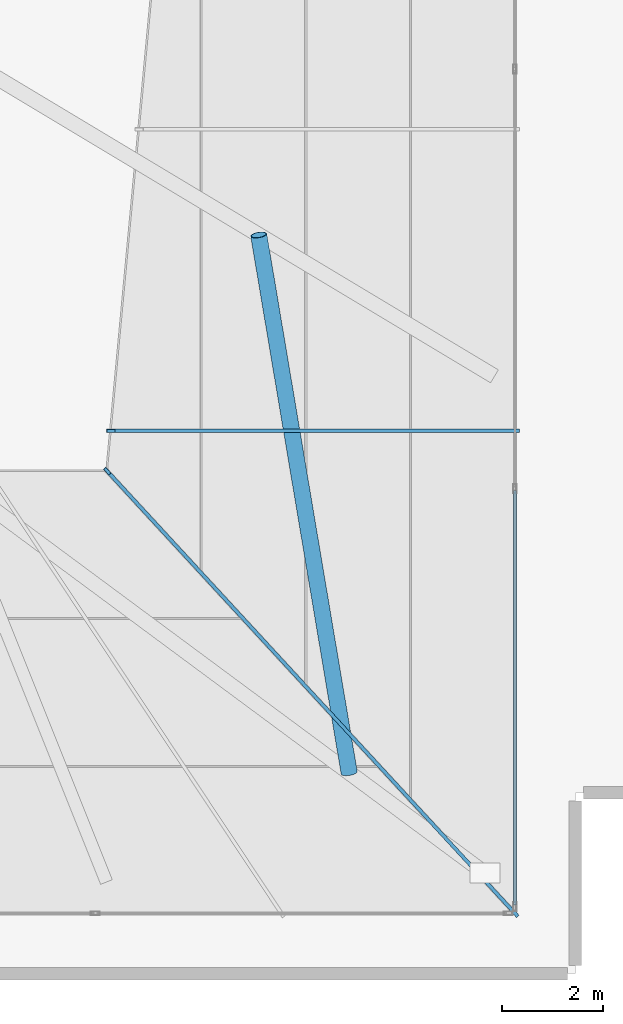
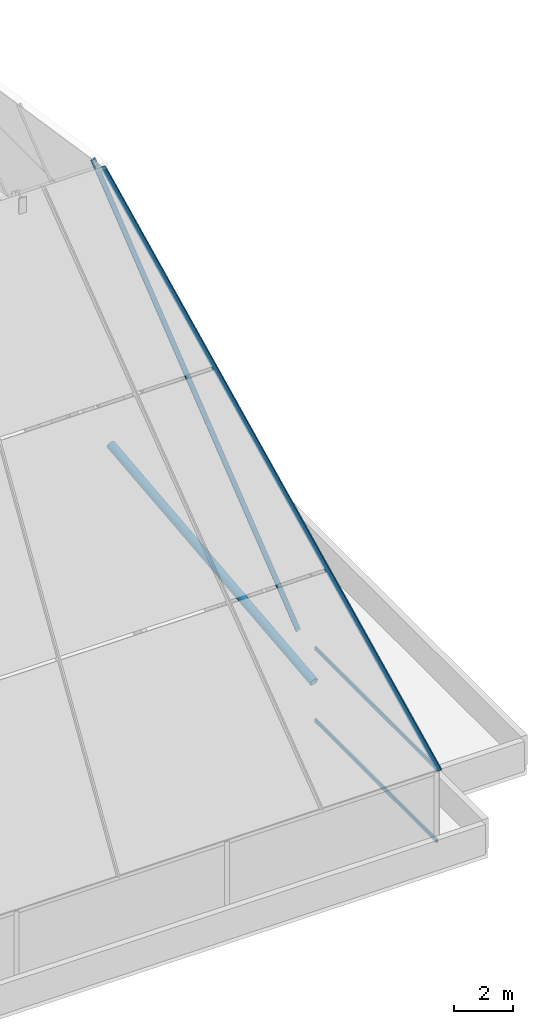
# One storey, part 14 of 32: 5 members, 1 element without a shape of its own.
"""IFC4 building model written with IfcOpenShell, lengths in metres."""

from ifc_helpers import new_model, si_unit, direction, frame, origin, origin_2d, place, context, subcontext, project, spatial, hollow_rectangle, hollow_circle, extrude, source, transform, mapped, material, layer, layer_set, material_profile, profile_set, type_object, element, aggregate, save


model = new_model("IFC4")

# Units and contexts
model_context = context("Model", 3, precision=1e-05, world=origin(), true_north=direction((0.0, 1.0)))
body_context = subcontext(model_context, "Body", "Model", "MODEL_VIEW")
ifc_project = project(units=[si_unit("LENGTHUNIT", "METRE"), si_unit("AREAUNIT", "SQUARE_METRE"), si_unit("VOLUMEUNIT", "CUBIC_METRE"), si_unit("PLANEANGLEUNIT", "RADIAN"), si_unit("MASSUNIT", "GRAM", prefix="KILO")], contexts=[model_context])

# Site, building, storey
site_placement = place(None, origin())
site = spatial("IfcSite", under=ifc_project, at=site_placement, CompositionType="ELEMENT")
building_placement = place(site_placement, origin())
building = spatial("IfcBuilding", under=site, at=building_placement, Name="Sumidabori Civic Tower", CompositionType="ELEMENT")
storey_placement = place(building_placement, frame((0.0, 0.0, 298.199951171875)))
storey = spatial("IfcBuildingStorey", under=building, at=storey_placement, Name="RF Roof Crown", CompositionType="ELEMENT", Elevation=298.199951171875)

# Member
ifc_material_1 = material(Name="Steel SN490", Category="steel")
ifc_material_profile_1 = material_profile(ifc_material_1, hollow_circle(Radius=0.161865234375, WallThickness=0.01611328125, at=origin_2d()), Name="CHS 323.9x16")
ifc_profile_set_1 = profile_set([ifc_material_profile_1], Name="Steel SN490")
member_type_1 = type_object("IfcMemberType", Name="MB-CRN-BRACE", PredefinedType="BRACE", material=ifc_profile_set_1)
shared_shape_1 = source(origin(), body_context, "Body", "SweptSolid", [
    extrude(hollow_circle(Radius=0.161865234375, WallThickness=0.01611328125, at=origin_2d()), origin(), (0.0, 0.0, 1.0), 11.5625),
])
member_1_placement = place(storey_placement, frame((13.300048828125, -8.0, 6.175048828125), z_axis=(-0.155680663738, 0.925405730319, 0.345525346726), x_axis=(-0.986142842458, -0.165898445649, 0.0)))
element("IfcMember", 1, at=member_1_placement, inside=storey, type_object=member_type_1, Name="Crown Structural Rafter RF-BRC-6", PredefinedType="BRACE", context=body_context, shape_type="MappedRepresentation", body=[
    mapped(shared_shape_1, transform((0.0, 0.0, 0.0), x_axis=(1.0, 0.0, 0.0), y_axis=(0.0, 1.0, 0.0), z_axis=(0.0, 0.0, 1.0), scale=1.0)),
])

# Curtain wall, members
ifc_material_2 = material(Name="Anodised Bronze Aluminium AW-6063-T6", Category="aluminium")
ifc_layer = layer(ifc_material_2, 0.179931640625, Name="Anodised Bronze Aluminium AW-6063-T6")
ifc_layer_set = layer_set([ifc_layer], Name="Anodised Bronze Aluminium AW-6063-T6")
curtain_wall_type = type_object("IfcCurtainWallType", Name="CW-SYS-6", PredefinedType="NOTDEFINED", material=ifc_layer_set)
curtain_wall_placement = place(storey_placement, origin())
curtain_wall = element("IfcCurtainWall", 2, at=curtain_wall_placement, inside=storey, type_object=curtain_wall_type, Name="Glass-Point Crown East Cheek Curtain Wall", PredefinedType="NOTDEFINED")
ifc_material_profile_2 = material_profile(ifc_material_2, hollow_rectangle(XDim=0.06494140625, YDim=0.14990234375, WallThickness=0.0048828125, at=origin_2d()), Name="ALU TRANSOM 150x65")
ifc_profile_set_2 = profile_set([ifc_material_profile_2], Name="Anodised Bronze Aluminium AW-6063-T6")
member_type_2 = type_object("IfcMemberType", Name="CW-TRN-150", PredefinedType="USERDEFINED", material=ifc_profile_set_2)
shared_shape_2 = source(origin(), body_context, "Body", "SweptSolid", [
    extrude(hollow_rectangle(XDim=0.06494140625, YDim=0.14990234375, WallThickness=0.0048828125, at=origin_2d()), origin(), (0.0, 0.0, 1.0), 8.244873046875),
])
member_2_placement = place(storey_placement, frame((16.60009765625, -10.6298828125, 0.032470703125), z_axis=(0.0, 1.0, 0.0), x_axis=(-1.0, 0.0, 0.0)))
member_2 = element("IfcMember", 3, at=member_2_placement, type_object=member_type_2, Name="CW-6 transom 1.1", ObjectType="TRANSOM", PredefinedType="USERDEFINED", context=body_context, shape_type="MappedRepresentation", body=[
    mapped(shared_shape_2, transform((0.0, 0.0, 0.0), x_axis=(1.0, 0.0, 0.0), y_axis=(0.0, 1.0, 0.0), z_axis=(0.0, 0.0, 1.0), scale=1.0)),
])
member_3_placement = place(storey_placement, frame((16.60009765625, -10.6298828125, 3.017578125), z_axis=(0.0, 1.0, 0.0), x_axis=(-1.0, 0.0, 0.0)))
member_3 = element("IfcMember", 4, at=member_3_placement, type_object=member_type_2, Name="CW-6 transom 1.2", ObjectType="TRANSOM", PredefinedType="USERDEFINED", context=body_context, shape_type="MappedRepresentation", body=[
    mapped(shared_shape_2, transform((0.0, 0.0, 0.0), x_axis=(1.0, 0.0, 0.0), y_axis=(0.0, 1.0, 0.0), z_axis=(0.0, 0.0, 1.0), scale=1.0)),
])
ifc_material_profile_3 = material_profile(ifc_material_2, hollow_rectangle(XDim=0.070068359375, YDim=0.179931640625, WallThickness=0.006103515625, at=origin_2d()), Name="ALU MULLION 180x70")
ifc_profile_set_3 = profile_set([ifc_material_profile_3], Name="Anodised Bronze Aluminium AW-6063-T6")
member_type_3 = type_object("IfcMemberType", Name="CW-MUL-180", PredefinedType="MULLION", material=ifc_profile_set_3)
shared_shape_3 = source(origin(), body_context, "Body", "SweptSolid", [
    extrude(hollow_rectangle(XDim=0.070068359375, YDim=0.179931640625, WallThickness=0.006103515625, at=origin_2d()), origin(), (0.0, 0.0, 1.0), 23.735107421875),
])
member_4_placement = place(storey_placement, frame((16.60009765625, -1.199951171875, 3.050048828125), z_axis=(-0.338720196748, 0.0, 0.940887149617), x_axis=(0.0, -1.0, 0.0)))
member_4 = element("IfcMember", 5, at=member_4_placement, type_object=member_type_3, Name="Crown East Cheek Sloped Mullion M1", PredefinedType="MULLION", context=body_context, shape_type="MappedRepresentation", body=[
    mapped(shared_shape_3, transform((0.0, 0.0, 0.0), x_axis=(1.0, 0.0, 0.0), y_axis=(0.0, 1.0, 0.0), z_axis=(0.0, 0.0, 1.0), scale=1.0)),
])
shared_shape_4 = source(origin(), body_context, "Body", "SweptSolid", [
    extrude(hollow_rectangle(XDim=0.070068359375, YDim=0.179931640625, WallThickness=0.006103515625, at=origin_2d()), origin(), (0.0, 0.0, 1.0), 25.521240234375),
])
member_5_placement = place(storey_placement, frame((16.60009765625, -10.800048828125, 3.050048828125), z_axis=(-0.317949544266, 0.344811244188, 0.883183612384), x_axis=(-0.735162253578, -0.677891186633, 0.0)))
member_5 = element("IfcMember", 6, at=member_5_placement, type_object=member_type_3, Name="Crown South-East Hip Mullion", PredefinedType="MULLION", context=body_context, shape_type="MappedRepresentation", body=[
    mapped(shared_shape_4, transform((0.0, 0.0, 0.0), x_axis=(1.0, 0.0, 0.0), y_axis=(0.0, 1.0, 0.0), z_axis=(0.0, 0.0, 1.0), scale=1.0)),
])
aggregate(curtain_wall, [member_2, member_3, member_4, member_5])

save(model, "model.ifc")
